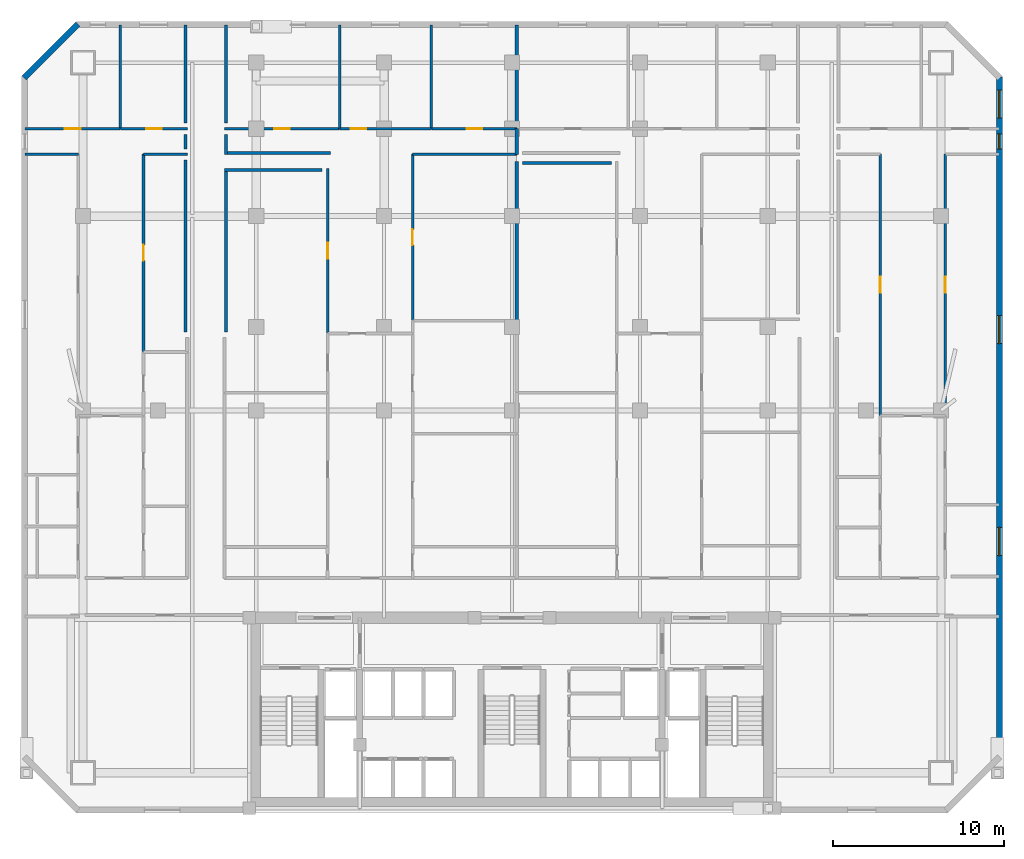
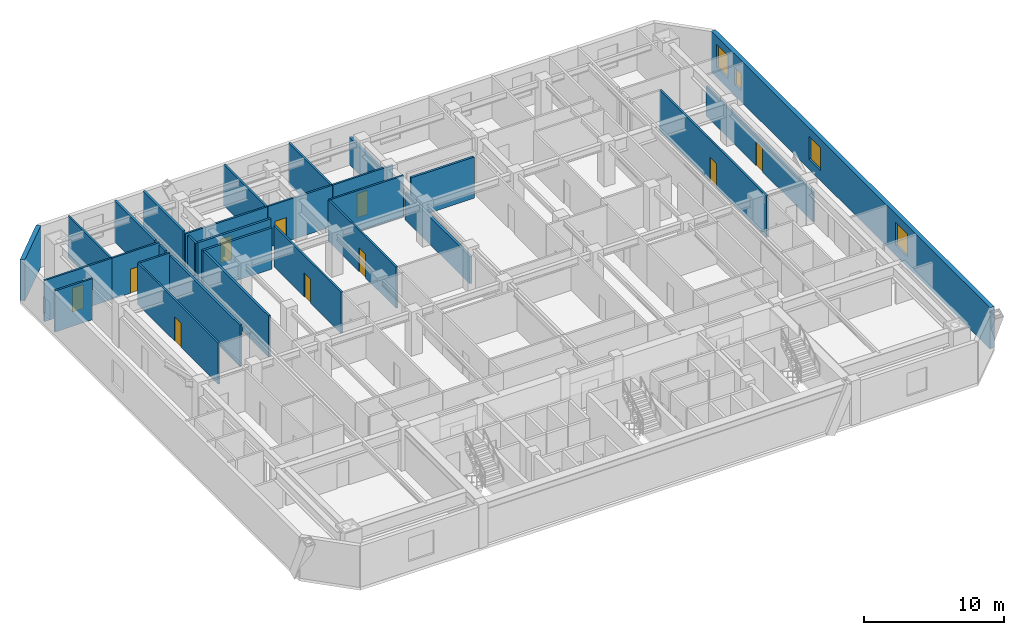
# One storey, part 7 of 10: 30 walls, 10 doors, 4 windows, 14 openings.
"""IFC4 building model written with IfcOpenShell, lengths in metres."""

from ifc_helpers import new_model, si_unit, direction, frame, frame_2d, origin, place, context, subcontext, project, spatial, rectangle, extrude, material, layer, layer_set, type_object, element, fill, save


model = new_model("IFC4")

# Units and contexts
model_context = context("Model", 3, precision=1e-05, world=origin(), true_north=direction((0.0, 1.0)))
body_context = subcontext(model_context, "Body", "Model", "MODEL_VIEW")
ifc_project = project(units=[si_unit("LENGTHUNIT", "METRE"), si_unit("AREAUNIT", "SQUARE_METRE"), si_unit("VOLUMEUNIT", "CUBIC_METRE"), si_unit("PLANEANGLEUNIT", "RADIAN"), si_unit("MASSUNIT", "GRAM", prefix="KILO")], contexts=[model_context])

# Site, building, storey
site_placement = place(None, origin())
site = spatial("IfcSite", under=ifc_project, at=site_placement, CompositionType="ELEMENT")
building_placement = place(site_placement, origin())
building = spatial("IfcBuilding", under=site, at=building_placement, Name="Ventersveld Concourse Tower", CompositionType="ELEMENT")
storey_placement = place(building_placement, frame((0.0, 0.0, 88.75)))
storey = spatial("IfcBuildingStorey", under=building, at=storey_placement, Name="L21", CompositionType="ELEMENT", Elevation=88.75)

# Walls
ifc_material_1 = material(Name="Fire-rated autoclaved aerated masonry blockwork", Category="masonry")
ifc_layer_1 = layer(ifc_material_1, 0.179931640625)
ifc_layer_set_1 = layer_set([ifc_layer_1], Name="Fire-rated autoclaved aerated masonry blockwork")
wall_type_1 = type_object("IfcWallType", Name="WL-CORR-180", PredefinedType="PARTITIONING", material=ifc_layer_set_1)
wall_1_placement = place(storey_placement, frame((9.6201171875, 39.794921875, 0.0), z_axis=(0.0, 0.0, 1.0), x_axis=(0.0, -1.0, 0.0)))
element("IfcWall", 1, at=wall_1_placement, inside=storey, type_object=wall_type_1, Name="L21 Room Enclosure Wall SP-L21-21NW-LIV", PredefinedType="PARTITIONING", context=body_context, shape_type="SweptSolid", body=[
    extrude(rectangle(XDim=0.849853515625, YDim=0.179931640625, at=frame_2d((0.4248046875, 0.0))), origin(), (0.0, 0.0, 1.0), 3.60009765625),
])
wall_2_placement = place(storey_placement, frame((9.6201171875, 38.294921875, 0.0), z_axis=(0.0, 0.0, 1.0), x_axis=(0.0, -1.0, 0.0)))
element("IfcWall", 2, at=wall_2_placement, inside=storey, type_object=wall_type_1, Name="L21 Room Enclosure Wall SP-L21-21NW-DENS", PredefinedType="PARTITIONING", context=body_context, shape_type="SweptSolid", body=[
    extrude(rectangle(XDim=10.0849609375, YDim=0.179931640625, at=frame_2d((5.04248046875, 0.0))), origin(), (0.0, 0.0, 1.0), 3.60009765625),
])
wall_3_placement = place(storey_placement, frame((9.6201171875, 46.18994140625, 0.0), z_axis=(0.0, 0.0, 1.0), x_axis=(0.0, -1.0, 0.0)))
element("IfcWall", 3, at=wall_3_placement, inside=storey, type_object=wall_type_1, Name="L21 Room Enclosure Wall SP-L21-21NW-BR2", PredefinedType="PARTITIONING", context=body_context, shape_type="SweptSolid", body=[
    extrude(rectangle(XDim=5.744873046875, YDim=0.179931640625, at=frame_2d((2.87255859375, 0.0))), origin(), (0.0, 0.0, 1.0), 3.60009765625),
])
wall_4_placement = place(storey_placement, frame((18.123291015625, 38.7099609375, 0.0), z_axis=(0.0, 0.0, 1.0), x_axis=(-1.0, 0.0, 0.0)))
element("IfcWall", 4, at=wall_4_placement, inside=storey, type_object=wall_type_1, Name="L21 Room Enclosure Wall SP-L21-21N1-LIV", PredefinedType="PARTITIONING", context=body_context, shape_type="SweptSolid", body=[
    extrude(rectangle(XDim=6.23828125, YDim=0.179931640625, at=frame_2d((3.119140625, 0.0))), origin(), (0.0, 0.0, 1.0), 3.60009765625),
])
wall_5_placement = place(storey_placement, frame((11.97998046875, 38.614990234375, 0.0), z_axis=(0.0, 0.0, 1.0), x_axis=(0.0, 1.0, 0.0)))
element("IfcWall", 5, at=wall_5_placement, inside=storey, type_object=wall_type_1, Name="L21 Room Enclosure Wall SP-L21-21N1-LIV", PredefinedType="PARTITIONING", context=body_context, shape_type="SweptSolid", body=[
    extrude(rectangle(XDim=1.179931640625, YDim=0.179931640625, at=frame_2d((0.58984375, 0.0))), origin(), (0.0, 0.0, 1.0), 3.60009765625),
])
wall_6_placement = place(storey_placement, frame((11.885009765625, 37.691162109375, 0.0), z_axis=(0.0, 0.0, 1.0), x_axis=(1.0, 0.0, 0.0)))
element("IfcWall", 6, at=wall_6_placement, inside=storey, type_object=wall_type_1, Name="L21 Room Enclosure Wall SP-L21-21N1-DENL2", PredefinedType="PARTITIONING", context=body_context, shape_type="SweptSolid", body=[
    extrude(rectangle(XDim=5.728271484375, YDim=0.179931640625, at=frame_2d((2.8642578125, 0.0))), origin(), (0.0, 0.0, 1.0), 3.60009765625),
])
wall_7_placement = place(storey_placement, frame((11.97998046875, 28.2099609375, 0.0), z_axis=(0.0, 0.0, 1.0), x_axis=(0.0, 1.0, 0.0)))
element("IfcWall", 7, at=wall_7_placement, inside=storey, type_object=wall_type_1, Name="L21 Room Enclosure Wall SP-L21-21N1-DENL2", PredefinedType="PARTITIONING", context=body_context, shape_type="SweptSolid", body=[
    extrude(rectangle(XDim=9.576171875, YDim=0.179931640625, at=frame_2d((4.7880859375, 0.0))), origin(), (0.0, 0.0, 1.0), 3.60009765625),
])
wall_8_placement = place(storey_placement, frame((11.97998046875, 40.445068359375, 0.0), z_axis=(0.0, 0.0, 1.0), x_axis=(0.0, 1.0, 0.0)))
element("IfcWall", 8, at=wall_8_placement, inside=storey, type_object=wall_type_1, Name="L21 Room Enclosure Wall SP-L21-21N1-BR1", PredefinedType="PARTITIONING", context=body_context, shape_type="SweptSolid", body=[
    extrude(rectangle(XDim=5.744873046875, YDim=0.179931640625, at=frame_2d((2.87255859375, 0.0))), origin(), (0.0, 0.0, 1.0), 3.60009765625),
])
wall_9_placement = place(storey_placement, frame((29.36181640625, 38.109130859375, 0.0), z_axis=(0.0, 0.0, 1.0), x_axis=(1.0, 0.0, 0.0)))
element("IfcWall", 9, at=wall_9_placement, inside=storey, type_object=wall_type_1, Name="L21 Room Enclosure Wall SP-L21-21N2-DENL2", PredefinedType="PARTITIONING", context=body_context, shape_type="SweptSolid", body=[
    extrude(rectangle(XDim=5.21484375, YDim=0.179931640625, at=frame_2d((2.607421875, 0.0))), origin(), (0.0, 0.0, 1.0), 3.60009765625),
])
ifc_layer_2 = layer(ifc_material_1, 0.199951171875)
ifc_layer_set_2 = layer_set([ifc_layer_2], Name="Fire-rated autoclaved aerated masonry blockwork")
wall_type_2 = type_object("IfcWallType", Name="WL-DEMISE-200", PredefinedType="PARTITIONING", material=ifc_layer_set_2)
wall_10_placement = place(storey_placement, frame((29.036865234375, 38.614990234375, 0.0), z_axis=(0.0, 0.0, 1.0), x_axis=(0.0, 1.0, 0.0)))
element("IfcWall", 10, at=wall_10_placement, inside=storey, type_object=wall_type_2, Name="L21 Interior Partition SP-L21-21N1-LIV-SP-L21-21N2-LIV", PredefinedType="PARTITIONING", context=body_context, shape_type="SweptSolid", body=[
    extrude(rectangle(XDim=1.510009765625, YDim=0.199951171875, at=frame_2d((0.7548828125, 0.0))), origin(), (0.0, 0.0, 1.0), 2.39990234375),
])
wall_11_placement = place(storey_placement, frame((29.036865234375, 28.90087890625, 0.0), z_axis=(0.0, 0.0, 1.0), x_axis=(0.0, 1.0, 0.0)))
element("IfcWall", 11, at=wall_11_placement, inside=storey, type_object=wall_type_2, Name="L21 Interior Partition SP-L21-21N1-DENS2-SP-L21-21N2-DENL2", PredefinedType="PARTITIONING", context=body_context, shape_type="SweptSolid", body=[
    extrude(rectangle(XDim=9.30322265625, YDim=0.199951171875, at=frame_2d((4.651611328125, 0.0))), origin(), (0.0, 0.0, 1.0), 2.39990234375),
])
wall_12_placement = place(storey_placement, frame((29.036865234375, 40.155029296875, 0.0), z_axis=(0.0, 0.0, 1.0), x_axis=(0.0, 1.0, 0.0)))
element("IfcWall", 12, at=wall_12_placement, inside=storey, type_object=wall_type_2, Name="L21 Interior Partition SP-L21-21N1-BR3-SP-L21-21N2-BR1", PredefinedType="PARTITIONING", context=body_context, shape_type="SweptSolid", body=[
    extrude(rectangle(XDim=6.034912109375, YDim=0.199951171875, at=frame_2d((3.017578125, 0.0))), origin(), (0.0, 0.0, 1.0), 2.39990234375),
])
ifc_material_2 = material(Name="Autoclaved aerated masonry blockwork", Category="masonry")
ifc_layer_3 = layer(ifc_material_2, 0.14990234375)
ifc_layer_set_3 = layer_set([ifc_layer_3], Name="Autoclaved aerated masonry blockwork")
wall_type_3 = type_object("IfcWallType", Name="WL-INT-150", PredefinedType="PARTITIONING", material=ifc_layer_set_3)
wall_13_placement = place(storey_placement, frame((0.2099609375, 38.6201171875, 0.0), z_axis=(0.0, 0.0, 1.0), x_axis=(1.0, 0.0, 0.0)))
element("IfcWall", 13, at=wall_13_placement, inside=storey, type_object=wall_type_3, Name="L21 Interior Partition SP-L21-21NW-LIV-SP-L21-21NW-DENL", PredefinedType="PARTITIONING", context=body_context, shape_type="SweptSolid", body=[
    extrude(rectangle(XDim=3.117919921875, YDim=0.14990234375, at=frame_2d((1.55908203125, 0.0))), origin(), (0.0, 0.0, 1.0), 3.60009765625),
])

# Wall, opening, door
wall_14_placement = place(storey_placement, frame((7.144775390625, 27.06396484375, 0.0), z_axis=(0.0, 0.0, 1.0), x_axis=(0.0, 1.0, 0.0)))
wall_14 = element("IfcWall", 14, at=wall_14_placement, inside=storey, type_object=wall_type_3, Name="L21 Interior Partition SP-L21-21NW-LIV-SP-L21-21NW-DENS", PredefinedType="PARTITIONING", context=body_context, shape_type="SweptSolid", body=[
    extrude(rectangle(XDim=11.56103515625, YDim=0.14990234375, at=frame_2d((5.780517578125, 0.0))), origin(), (0.0, 0.0, 1.0), 3.60009765625),
])
opening_1_placement = place(wall_14_placement, frame((5.320556640625, 0.0, 0.0)))
opening_1 = element("IfcOpeningElement", 15, at=opening_1_placement, cuts=wall_14, Name="Opening ID1", PredefinedType="OPENING", context=body_context, shape_type="SweptSolid", body=[
    extrude(rectangle(XDim=0.919921875, YDim=2.10009765625, at=frame_2d((0.4599609375, 1.050048828125))), frame((0.0, 0.0849609375, 0.0), z_axis=(0.0, -1.0, 0.0), x_axis=(1.0, 0.0, 0.0)), (0.0, 0.0, 1.0), 0.169921875),
])
ifc_material_3 = material(Name="Solid-core hardwood veneer timber", Category="wood")
door_type = type_object("IfcDoorType", Name="DR-ROOM-092", OperationType="NOTDEFINED", PredefinedType="DOOR", material=ifc_material_3)
door_1_placement = place(opening_1_placement, origin())
door_1 = element("IfcDoor", 16, at=door_1_placement, inside=storey, type_object=door_type, Name="L21 Interior Door SP-L21-21NW-LIV to SP-L21-21NW-DENS (D-L21-1022)", OperationType="SINGLE_SWING_RIGHT", OverallHeight=2.10009765625, OverallWidth=0.919921875, PredefinedType="DOOR", context=body_context, shape_type="SweptSolid", body=[
    extrude(rectangle(XDim=0.919921875, YDim=2.10009765625, at=frame_2d((0.4599609375, 1.050048828125))), frame((0.0, 0.02490234375, 0.0), z_axis=(0.0, -1.0, 0.0), x_axis=(1.0, 0.0, 0.0)), (0.0, 0.0, 1.0), 0.050048828125),
])
fill(opening_1, door_1)

# Wall
wall_15_placement = place(storey_placement, frame((7.139892578125, 38.6201171875, 0.0), z_axis=(0.0, 0.0, 1.0), x_axis=(1.0, 0.0, 0.0)))
element("IfcWall", 17, at=wall_15_placement, inside=storey, type_object=wall_type_3, Name="L21 Interior Partition SP-L21-21NW-LIV-SP-L21-21NW-DENS", PredefinedType="PARTITIONING", context=body_context, shape_type="SweptSolid", body=[
    extrude(rectangle(XDim=2.5751953125, YDim=0.14990234375, at=frame_2d((1.28759765625, 0.0))), origin(), (0.0, 0.0, 1.0), 3.60009765625),
])

# Wall, opening, door
wall_16_placement = place(storey_placement, frame((0.2099609375, 40.1201171875, 0.0), z_axis=(0.0, 0.0, 1.0), x_axis=(1.0, 0.0, 0.0)))
wall_16 = element("IfcWall", 18, at=wall_16_placement, inside=storey, type_object=wall_type_3, Name="L21 Interior Partition SP-L21-21NW-LIV-SP-L21-21NW-BR1", PredefinedType="PARTITIONING", context=body_context, shape_type="SweptSolid", body=[
    extrude(rectangle(XDim=5.566162109375, YDim=0.14990234375, at=frame_2d((2.783203125, 0.0))), origin(), (0.0, 0.0, 1.0), 3.60009765625),
])
opening_2_placement = place(wall_16_placement, frame((2.322998046875, 0.0, 0.0)))
opening_2 = element("IfcOpeningElement", 19, at=opening_2_placement, cuts=wall_16, Name="Opening ID1", PredefinedType="OPENING", context=body_context, shape_type="SweptSolid", body=[
    extrude(rectangle(XDim=0.919921875, YDim=2.10009765625, at=frame_2d((0.4599609375, 1.050048828125))), frame((0.0, 0.0849609375, 0.0), z_axis=(0.0, -1.0, 0.0), x_axis=(1.0, 0.0, 0.0)), (0.0, 0.0, 1.0), 0.169921875),
])
door_2_placement = place(opening_2_placement, origin())
door_2 = element("IfcDoor", 20, at=door_2_placement, inside=storey, type_object=door_type, Name="L21 Interior Door SP-L21-21NW-LIV to SP-L21-21NW-BR1 (D-L21-1023)", OperationType="SINGLE_SWING_LEFT", OverallHeight=2.10009765625, OverallWidth=0.919921875, PredefinedType="DOOR", context=body_context, shape_type="SweptSolid", body=[
    extrude(rectangle(XDim=0.919921875, YDim=2.10009765625, at=frame_2d((0.4599609375, 1.050048828125))), frame((0.0, 0.02490234375, 0.0), z_axis=(0.0, -1.0, 0.0), x_axis=(1.0, 0.0, 0.0)), (0.0, 0.0, 1.0), 0.050048828125),
])
fill(opening_2, door_2)

wall_17_placement = place(storey_placement, frame((5.80615234375, 40.1201171875, 0.0), z_axis=(0.0, 0.0, 1.0), x_axis=(1.0, 0.0, 0.0)))
wall_17 = element("IfcWall", 21, at=wall_17_placement, inside=storey, type_object=wall_type_3, Name="L21 Interior Partition SP-L21-21NW-LIV-SP-L21-21NW-BR2", PredefinedType="PARTITIONING", context=body_context, shape_type="SweptSolid", body=[
    extrude(rectangle(XDim=3.908935546875, YDim=0.14990234375, at=frame_2d((1.95458984375, 0.0))), origin(), (0.0, 0.0, 1.0), 3.60009765625),
])
opening_3_placement = place(wall_17_placement, frame((1.494384765625, 0.0, 0.0)))
opening_3 = element("IfcOpeningElement", 22, at=opening_3_placement, cuts=wall_17, Name="Opening ID1", PredefinedType="OPENING", context=body_context, shape_type="SweptSolid", body=[
    extrude(rectangle(XDim=0.919921875, YDim=2.10009765625, at=frame_2d((0.4599609375, 1.050048828125))), frame((0.0, 0.0849609375, 0.0), z_axis=(0.0, -1.0, 0.0), x_axis=(1.0, 0.0, 0.0)), (0.0, 0.0, 1.0), 0.169921875),
])
door_3_placement = place(opening_3_placement, origin())
door_3 = element("IfcDoor", 23, at=door_3_placement, inside=storey, type_object=door_type, Name="L21 Interior Door SP-L21-21NW-LIV to SP-L21-21NW-BR2 (D-L21-1024)", OperationType="SINGLE_SWING_RIGHT", OverallHeight=2.10009765625, OverallWidth=0.919921875, PredefinedType="DOOR", context=body_context, shape_type="SweptSolid", body=[
    extrude(rectangle(XDim=0.919921875, YDim=2.10009765625, at=frame_2d((0.4599609375, 1.050048828125))), frame((0.0, 0.02490234375, 0.0), z_axis=(0.0, -1.0, 0.0), x_axis=(1.0, 0.0, 0.0)), (0.0, 0.0, 1.0), 0.050048828125),
])
fill(opening_3, door_3)

# Wall
wall_18_placement = place(storey_placement, frame((5.771240234375, 40.114990234375, 0.0), z_axis=(0.0, 0.0, 1.0), x_axis=(0.0, 1.0, 0.0)))
element("IfcWall", 24, at=wall_18_placement, inside=storey, type_object=wall_type_3, Name="L21 Interior Partition SP-L21-21NW-BR1-SP-L21-21NW-BR2", PredefinedType="PARTITIONING", context=body_context, shape_type="SweptSolid", body=[
    extrude(rectangle(XDim=6.074951171875, YDim=0.14990234375, at=frame_2d((3.03759765625, 0.0))), origin(), (0.0, 0.0, 1.0), 3.60009765625),
])

# Wall, opening, door
wall_19_placement = place(storey_placement, frame((50.337158203125, 23.317138671875, 0.0), z_axis=(0.0, 0.0, 1.0), x_axis=(0.0, 1.0, 0.0)))
wall_19 = element("IfcWall", 25, at=wall_19_placement, inside=storey, type_object=wall_type_3, Name="L21 Interior Partition SP-L21-21NE-LIV-SP-L21-21NE-DENL", PredefinedType="PARTITIONING", context=body_context, shape_type="SweptSolid", body=[
    extrude(rectangle(XDim=15.307861328125, YDim=0.14990234375, at=frame_2d((7.65380859375, 0.0))), origin(), (0.0, 0.0, 1.0), 3.60009765625),
])
opening_4_placement = place(wall_19_placement, frame((7.19384765625, 0.0, 0.0)))
opening_4 = element("IfcOpeningElement", 26, at=opening_4_placement, cuts=wall_19, Name="Opening ID1", PredefinedType="OPENING", context=body_context, shape_type="SweptSolid", body=[
    extrude(rectangle(XDim=0.919921875, YDim=2.10009765625, at=frame_2d((0.4599609375, 1.050048828125))), frame((0.0, 0.0849609375, 0.0), z_axis=(0.0, -1.0, 0.0), x_axis=(1.0, 0.0, 0.0)), (0.0, 0.0, 1.0), 0.169921875),
])
door_4_placement = place(opening_4_placement, origin())
door_4 = element("IfcDoor", 27, at=door_4_placement, inside=storey, type_object=door_type, Name="L21 Interior Door SP-L21-21NE-LIV to SP-L21-21NE-DENL (D-L21-1031)", OperationType="SINGLE_SWING_LEFT", OverallHeight=2.10009765625, OverallWidth=0.919921875, PredefinedType="DOOR", context=body_context, shape_type="SweptSolid", body=[
    extrude(rectangle(XDim=0.919921875, YDim=2.10009765625, at=frame_2d((0.4599609375, 1.050048828125))), frame((0.0, 0.02490234375, 0.0), z_axis=(0.0, -1.0, 0.0), x_axis=(1.0, 0.0, 0.0)), (0.0, 0.0, 1.0), 0.050048828125),
])
fill(opening_4, door_4)

wall_20_placement = place(storey_placement, frame((54.1591796875, 23.317138671875, 0.0), z_axis=(0.0, 0.0, 1.0), x_axis=(0.0, 1.0, 0.0)))
wall_20 = element("IfcWall", 28, at=wall_20_placement, inside=storey, type_object=wall_type_3, Name="L21 Interior Partition SP-L21-21NE-LIV-SP-L21-21NE-DENR", PredefinedType="PARTITIONING", context=body_context, shape_type="SweptSolid", body=[
    extrude(rectangle(XDim=15.307861328125, YDim=0.14990234375, at=frame_2d((7.65380859375, 0.0))), origin(), (0.0, 0.0, 1.0), 2.60009765625),
])
opening_5_placement = place(wall_20_placement, frame((7.19384765625, 0.0, 0.0)))
opening_5 = element("IfcOpeningElement", 29, at=opening_5_placement, cuts=wall_20, Name="Opening ID1", PredefinedType="OPENING", context=body_context, shape_type="SweptSolid", body=[
    extrude(rectangle(XDim=0.919921875, YDim=2.10009765625, at=frame_2d((0.4599609375, 1.050048828125))), frame((0.0, 0.0849609375, 0.0), z_axis=(0.0, -1.0, 0.0), x_axis=(1.0, 0.0, 0.0)), (0.0, 0.0, 1.0), 0.169921875),
])
door_5_placement = place(opening_5_placement, origin())
door_5 = element("IfcDoor", 30, at=door_5_placement, inside=storey, type_object=door_type, Name="L21 Interior Door SP-L21-21NE-LIV to SP-L21-21NE-DENR (D-L21-1032)", OperationType="SINGLE_SWING_RIGHT", OverallHeight=2.10009765625, OverallWidth=0.919921875, PredefinedType="DOOR", context=body_context, shape_type="SweptSolid", body=[
    extrude(rectangle(XDim=0.919921875, YDim=2.10009765625, at=frame_2d((0.4599609375, 1.050048828125))), frame((0.0, 0.02490234375, 0.0), z_axis=(0.0, -1.0, 0.0), x_axis=(1.0, 0.0, 0.0)), (0.0, 0.0, 1.0), 0.050048828125),
])
fill(opening_5, door_5)

wall_21_placement = place(storey_placement, frame((17.938232421875, 28.151611328125, 0.0), z_axis=(0.0, 0.0, 1.0), x_axis=(0.0, 1.0, 0.0)))
wall_21 = element("IfcWall", 31, at=wall_21_placement, inside=storey, type_object=wall_type_3, Name="L21 Interior Partition SP-L21-21N1-LIV-SP-L21-21N1-DENL2", PredefinedType="PARTITIONING", context=body_context, shape_type="SweptSolid", body=[
    extrude(rectangle(XDim=9.634521484375, YDim=0.14990234375, at=frame_2d((4.8173828125, 0.0))), origin(), (0.0, 0.0, 1.0), 3.60009765625),
])
opening_6_placement = place(wall_21_placement, frame((4.357177734375, 0.0, 0.0)))
opening_6 = element("IfcOpeningElement", 32, at=opening_6_placement, cuts=wall_21, Name="Opening ID1", PredefinedType="OPENING", context=body_context, shape_type="SweptSolid", body=[
    extrude(rectangle(XDim=0.919921875, YDim=2.10009765625, at=frame_2d((0.4599609375, 1.050048828125))), frame((0.0, 0.0849609375, 0.0), z_axis=(0.0, -1.0, 0.0), x_axis=(1.0, 0.0, 0.0)), (0.0, 0.0, 1.0), 0.169921875),
])
door_6_placement = place(opening_6_placement, origin())
door_6 = element("IfcDoor", 33, at=door_6_placement, inside=storey, type_object=door_type, Name="L21 Interior Door SP-L21-21N1-LIV to SP-L21-21N1-DENL2 (D-L21-1042)", OperationType="SINGLE_SWING_RIGHT", OverallHeight=2.10009765625, OverallWidth=0.919921875, PredefinedType="DOOR", context=body_context, shape_type="SweptSolid", body=[
    extrude(rectangle(XDim=0.919921875, YDim=2.10009765625, at=frame_2d((0.4599609375, 1.050048828125))), frame((0.0, 0.02490234375, 0.0), z_axis=(0.0, -1.0, 0.0), x_axis=(1.0, 0.0, 0.0)), (0.0, 0.0, 1.0), 0.050048828125),
])
fill(opening_6, door_6)

wall_22_placement = place(storey_placement, frame((22.918212890625, 28.90087890625, 0.0), z_axis=(0.0, 0.0, 1.0), x_axis=(0.0, 1.0, 0.0)))
wall_22 = element("IfcWall", 34, at=wall_22_placement, inside=storey, type_object=wall_type_3, Name="L21 Interior Partition SP-L21-21N1-LIV-SP-L21-21N1-DENS2", PredefinedType="PARTITIONING", context=body_context, shape_type="SweptSolid", body=[
    extrude(rectangle(XDim=9.72412109375, YDim=0.14990234375, at=frame_2d((4.862060546875, 0.0))), origin(), (0.0, 0.0, 1.0), 3.60009765625),
])
opening_7_placement = place(wall_22_placement, frame((4.402099609375, 0.0, 0.0)))
opening_7 = element("IfcOpeningElement", 35, at=opening_7_placement, cuts=wall_22, Name="Opening ID1", PredefinedType="OPENING", context=body_context, shape_type="SweptSolid", body=[
    extrude(rectangle(XDim=0.919921875, YDim=2.10009765625, at=frame_2d((0.4599609375, 1.050048828125))), frame((0.0, 0.0849609375, 0.0), z_axis=(0.0, -1.0, 0.0), x_axis=(1.0, 0.0, 0.0)), (0.0, 0.0, 1.0), 0.169921875),
])
door_7_placement = place(opening_7_placement, origin())
door_7 = element("IfcDoor", 36, at=door_7_placement, inside=storey, type_object=door_type, Name="L21 Interior Door SP-L21-21N1-LIV to SP-L21-21N1-DENS2 (D-L21-1043)", OperationType="SINGLE_SWING_LEFT", OverallHeight=2.10009765625, OverallWidth=0.919921875, PredefinedType="DOOR", context=body_context, shape_type="SweptSolid", body=[
    extrude(rectangle(XDim=0.919921875, YDim=2.10009765625, at=frame_2d((0.4599609375, 1.050048828125))), frame((0.0, 0.02490234375, 0.0), z_axis=(0.0, -1.0, 0.0), x_axis=(1.0, 0.0, 0.0)), (0.0, 0.0, 1.0), 0.050048828125),
])
fill(opening_7, door_7)

# Wall
wall_23_placement = place(storey_placement, frame((22.9130859375, 38.6201171875, 0.0), z_axis=(0.0, 0.0, 1.0), x_axis=(1.0, 0.0, 0.0)))
element("IfcWall", 37, at=wall_23_placement, inside=storey, type_object=wall_type_3, Name="L21 Interior Partition SP-L21-21N1-LIV-SP-L21-21N1-DENS2", PredefinedType="PARTITIONING", context=body_context, shape_type="SweptSolid", body=[
    extrude(rectangle(XDim=6.12890625, YDim=0.14990234375, at=frame_2d((3.064453125, 0.0))), origin(), (0.0, 0.0, 1.0), 3.60009765625),
])

# Wall, opening, door
wall_24_placement = place(storey_placement, frame((11.885009765625, 40.1201171875, 0.0), z_axis=(0.0, 0.0, 1.0), x_axis=(1.0, 0.0, 0.0)))
wall_24 = element("IfcWall", 38, at=wall_24_placement, inside=storey, type_object=wall_type_3, Name="L21 Interior Partition SP-L21-21N1-LIV-SP-L21-21N1-BR1", PredefinedType="PARTITIONING", context=body_context, shape_type="SweptSolid", body=[
    extrude(rectangle(XDim=6.763671875, YDim=0.14990234375, at=frame_2d((3.3818359375, 0.0))), origin(), (0.0, 0.0, 1.0), 3.60009765625),
])
opening_8_placement = place(wall_24_placement, frame((2.921875, 0.0, 0.0)))
opening_8 = element("IfcOpeningElement", 39, at=opening_8_placement, cuts=wall_24, Name="Opening ID1", PredefinedType="OPENING", context=body_context, shape_type="SweptSolid", body=[
    extrude(rectangle(XDim=0.919921875, YDim=2.10009765625, at=frame_2d((0.4599609375, 1.050048828125))), frame((0.0, 0.0849609375, 0.0), z_axis=(0.0, -1.0, 0.0), x_axis=(1.0, 0.0, 0.0)), (0.0, 0.0, 1.0), 0.169921875),
])
door_8_placement = place(opening_8_placement, origin())
door_8 = element("IfcDoor", 40, at=door_8_placement, inside=storey, type_object=door_type, Name="L21 Interior Door SP-L21-21N1-LIV to SP-L21-21N1-BR1 (D-L21-1044)", OperationType="SINGLE_SWING_RIGHT", OverallHeight=2.10009765625, OverallWidth=0.919921875, PredefinedType="DOOR", context=body_context, shape_type="SweptSolid", body=[
    extrude(rectangle(XDim=0.919921875, YDim=2.10009765625, at=frame_2d((0.4599609375, 1.050048828125))), frame((0.0, 0.02490234375, 0.0), z_axis=(0.0, -1.0, 0.0), x_axis=(1.0, 0.0, 0.0)), (0.0, 0.0, 1.0), 0.050048828125),
])
fill(opening_8, door_8)

wall_25_placement = place(storey_placement, frame((18.6787109375, 40.1201171875, 0.0), z_axis=(0.0, 0.0, 1.0), x_axis=(1.0, 0.0, 0.0)))
wall_25 = element("IfcWall", 41, at=wall_25_placement, inside=storey, type_object=wall_type_3, Name="L21 Interior Partition SP-L21-21N1-LIV-SP-L21-21N1-BR2", PredefinedType="PARTITIONING", context=body_context, shape_type="SweptSolid", body=[
    extrude(rectangle(XDim=5.339599609375, YDim=0.14990234375, at=frame_2d((2.669921875, 0.0))), origin(), (0.0, 0.0, 1.0), 3.60009765625),
])
opening_9_placement = place(wall_25_placement, frame((0.60791015625, 0.0, 0.0)))
opening_9 = element("IfcOpeningElement", 42, at=opening_9_placement, cuts=wall_25, Name="Opening ID1", PredefinedType="OPENING", context=body_context, shape_type="SweptSolid", body=[
    extrude(rectangle(XDim=0.919921875, YDim=2.10009765625, at=frame_2d((0.4599609375, 1.050048828125))), frame((0.0, 0.0849609375, 0.0), z_axis=(0.0, -1.0, 0.0), x_axis=(1.0, 0.0, 0.0)), (0.0, 0.0, 1.0), 0.169921875),
])
door_9_placement = place(opening_9_placement, origin())
door_9 = element("IfcDoor", 43, at=door_9_placement, inside=storey, type_object=door_type, Name="L21 Interior Door SP-L21-21N1-LIV to SP-L21-21N1-BR2 (D-L21-1045)", OperationType="SINGLE_SWING_LEFT", OverallHeight=2.10009765625, OverallWidth=0.919921875, PredefinedType="DOOR", context=body_context, shape_type="SweptSolid", body=[
    extrude(rectangle(XDim=0.919921875, YDim=2.10009765625, at=frame_2d((0.4599609375, 1.050048828125))), frame((0.0, 0.02490234375, 0.0), z_axis=(0.0, -1.0, 0.0), x_axis=(1.0, 0.0, 0.0)), (0.0, 0.0, 1.0), 0.050048828125),
])
fill(opening_9, door_9)

wall_26_placement = place(storey_placement, frame((24.04833984375, 40.1201171875, 0.0), z_axis=(0.0, 0.0, 1.0), x_axis=(1.0, 0.0, 0.0)))
wall_26 = element("IfcWall", 44, at=wall_26_placement, inside=storey, type_object=wall_type_3, Name="L21 Interior Partition SP-L21-21N1-LIV-SP-L21-21N1-BR3", PredefinedType="PARTITIONING", context=body_context, shape_type="SweptSolid", body=[
    extrude(rectangle(XDim=4.99365234375, YDim=0.14990234375, at=frame_2d((2.496826171875, 0.0))), origin(), (0.0, 0.0, 1.0), 3.60009765625),
])
opening_10_placement = place(wall_26_placement, frame((2.036865234375, 0.0, 0.0)))
opening_10 = element("IfcOpeningElement", 45, at=opening_10_placement, cuts=wall_26, Name="Opening ID1", PredefinedType="OPENING", context=body_context, shape_type="SweptSolid", body=[
    extrude(rectangle(XDim=0.919921875, YDim=2.10009765625, at=frame_2d((0.4599609375, 1.050048828125))), frame((0.0, 0.0849609375, 0.0), z_axis=(0.0, -1.0, 0.0), x_axis=(1.0, 0.0, 0.0)), (0.0, 0.0, 1.0), 0.169921875),
])
door_10_placement = place(opening_10_placement, origin())
door_10 = element("IfcDoor", 46, at=door_10_placement, inside=storey, type_object=door_type, Name="L21 Interior Door SP-L21-21N1-LIV to SP-L21-21N1-BR3 (D-L21-1046)", OperationType="SINGLE_SWING_RIGHT", OverallHeight=2.10009765625, OverallWidth=0.919921875, PredefinedType="DOOR", context=body_context, shape_type="SweptSolid", body=[
    extrude(rectangle(XDim=0.919921875, YDim=2.10009765625, at=frame_2d((0.4599609375, 1.050048828125))), frame((0.0, 0.02490234375, 0.0), z_axis=(0.0, -1.0, 0.0), x_axis=(1.0, 0.0, 0.0)), (0.0, 0.0, 1.0), 0.050048828125),
])
fill(opening_10, door_10)

# Walls
for number, where, z_axis, x_axis, name in (
    (47, (18.6435546875, 40.114990234375, 0.0), (0.0, 0.0, 1.0), (0.0, 1.0, 0.0), "L21 Interior Partition SP-L21-21N1-BR1-SP-L21-21N1-BR2"),
    (48, (24.01318359375, 40.114990234375, 0.0), (0.0, 0.0, 1.0), (0.0, 1.0, 0.0), "L21 Interior Partition SP-L21-21N1-BR2-SP-L21-21N1-BR3"),
):
    element("IfcWall", number, at=place(storey_placement, frame(where, z_axis=z_axis, x_axis=x_axis)), inside=storey, type_object=wall_type_3, Name=name, PredefinedType="PARTITIONING", context=body_context, shape_type="SweptSolid", body=[
        extrude(rectangle(XDim=6.074951171875, YDim=0.14990234375, at=frame_2d((3.03759765625, 0.0))), origin(), (0.0, 0.0, 1.0), 3.60009765625),
    ])

# Wall, openings, windows
ifc_material_4 = material(Name="Precast concrete C45/55", Category="concrete")
ifc_layer_4 = layer(ifc_material_4, 0.35009765625)
ifc_layer_set_4 = layer_set([ifc_layer_4], Name="Precast concrete C45/55")
wall_type_4 = type_object("IfcWallType", Name="WL-PREC-350", PredefinedType="SOLIDWALL", material=ifc_layer_set_4)
wall_27_placement = place(storey_placement, frame((57.324951171875, 3.239990234375, 0.0), z_axis=(0.0, 0.0, 1.0), x_axis=(0.0, 1.0, 0.0)))
wall_27 = element("IfcWall", 49, at=wall_27_placement, inside=storey, type_object=wall_type_4, Name="L21 Highveld Precast Facade Wall E03", PredefinedType="SOLIDWALL", context=body_context, shape_type="SweptSolid", body=[
    extrude(rectangle(XDim=39.919921875, YDim=0.35009765625, at=frame_2d((19.9599609375, 0.0))), origin(), (0.0, 0.0, 1.0), 3.60009765625),
])
opening_11_placement = place(wall_27_placement, frame((35.679931640625, 0.0, 0.949951171875)))
opening_11 = element("IfcOpeningElement", 50, at=opening_11_placement, cuts=wall_27, Name="Opening W4", PredefinedType="OPENING", context=body_context, shape_type="SweptSolid", body=[
    extrude(rectangle(XDim=0.89990234375, YDim=1.5, at=frame_2d((0.449951171875, 0.75))), frame((0.0, 0.18505859375, 0.0), z_axis=(0.0, -1.0, 0.0), x_axis=(1.0, 0.0, 0.0)), (0.0, 0.0, 1.0), 0.3701171875),
])
opening_12_placement = place(wall_27_placement, frame((11.854248046875, 0.0, 0.8798828125)))
opening_12 = element("IfcOpeningElement", 51, at=opening_12_placement, cuts=wall_27, Name="Opening W6", PredefinedType="OPENING", context=body_context, shape_type="SweptSolid", body=[
    extrude(rectangle(XDim=1.64990234375, YDim=2.0, at=frame_2d((0.824951171875, 1.0))), frame((0.0, 0.18505859375, 0.0), z_axis=(0.0, -1.0, 0.0), x_axis=(1.0, 0.0, 0.0)), (0.0, 0.0, 1.0), 0.3701171875),
])
opening_13_placement = place(wall_27_placement, frame((24.279296875, 0.0, 0.8798828125)))
opening_13 = element("IfcOpeningElement", 52, at=opening_13_placement, cuts=wall_27, Name="Opening W6", PredefinedType="OPENING", context=body_context, shape_type="SweptSolid", body=[
    extrude(rectangle(XDim=1.64990234375, YDim=2.0, at=frame_2d((0.824951171875, 1.0))), frame((0.0, 0.18505859375, 0.0), z_axis=(0.0, -1.0, 0.0), x_axis=(1.0, 0.0, 0.0)), (0.0, 0.0, 1.0), 0.3701171875),
])
opening_14_placement = place(wall_27_placement, frame((37.5, 0.0, 0.8798828125)))
opening_14 = element("IfcOpeningElement", 53, at=opening_14_placement, cuts=wall_27, Name="Opening W6", PredefinedType="OPENING", context=body_context, shape_type="SweptSolid", body=[
    extrude(rectangle(XDim=1.64990234375, YDim=2.0, at=frame_2d((0.824951171875, 1.0))), frame((0.0, 0.18505859375, 0.0), z_axis=(0.0, -1.0, 0.0), x_axis=(1.0, 0.0, 0.0)), (0.0, 0.0, 1.0), 0.3701171875),
])
ifc_material_5 = material(Name="Tempered acoustic Low-E IGU", Category="glass")
window_type_1 = type_object("IfcWindowType", Name="WIN-090x150", PartitioningType="SINGLE_PANEL", PredefinedType="WINDOW", material=ifc_material_5)
window_1_placement = place(opening_11_placement, origin())
window_1 = element("IfcWindow", 54, at=window_1_placement, inside=storey, type_object=window_type_1, Name="L21 Punched Low-E Window W-0230", OverallHeight=1.5, OverallWidth=0.89990234375, PartitioningType="SINGLE_PANEL", PredefinedType="WINDOW", context=body_context, shape_type="SweptSolid", body=[
    extrude(rectangle(XDim=0.89990234375, YDim=1.5, at=frame_2d((0.449951171875, 0.75))), frame((0.0, 0.030029296875, 0.0), z_axis=(0.0, -1.0, 0.0), x_axis=(1.0, 0.0, 0.0)), (0.0, 0.0, 1.0), 0.06005859375),
])
fill(opening_11, window_1)
window_type_2 = type_object("IfcWindowType", Name="WIN-165x200", PartitioningType="SINGLE_PANEL", PredefinedType="WINDOW", material=ifc_material_5)
window_2_placement = place(opening_12_placement, origin())
window_2 = element("IfcWindow", 55, at=window_2_placement, inside=storey, type_object=window_type_2, Name="L21 Punched Low-E Window W-0231", OverallHeight=2.0, OverallWidth=1.64990234375, PartitioningType="SINGLE_PANEL", PredefinedType="WINDOW", context=body_context, shape_type="SweptSolid", body=[
    extrude(rectangle(XDim=1.64990234375, YDim=2.0, at=frame_2d((0.824951171875, 1.0))), frame((0.0, 0.030029296875, 0.0), z_axis=(0.0, -1.0, 0.0), x_axis=(1.0, 0.0, 0.0)), (0.0, 0.0, 1.0), 0.06005859375),
])
fill(opening_12, window_2)
window_3_placement = place(opening_13_placement, origin())
window_3 = element("IfcWindow", 56, at=window_3_placement, inside=storey, type_object=window_type_2, Name="L21 Punched Low-E Window W-0232", OverallHeight=2.0, OverallWidth=1.64990234375, PartitioningType="SINGLE_PANEL", PredefinedType="WINDOW", context=body_context, shape_type="SweptSolid", body=[
    extrude(rectangle(XDim=1.64990234375, YDim=2.0, at=frame_2d((0.824951171875, 1.0))), frame((0.0, 0.030029296875, 0.0), z_axis=(0.0, -1.0, 0.0), x_axis=(1.0, 0.0, 0.0)), (0.0, 0.0, 1.0), 0.06005859375),
])
fill(opening_13, window_3)
window_4_placement = place(opening_14_placement, origin())
window_4 = element("IfcWindow", 57, at=window_4_placement, inside=storey, type_object=window_type_2, Name="L21 Punched Low-E Window W-0234", OverallHeight=2.0, OverallWidth=1.64990234375, PartitioningType="SINGLE_PANEL", PredefinedType="WINDOW", context=body_context, shape_type="SweptSolid", body=[
    extrude(rectangle(XDim=1.64990234375, YDim=2.0, at=frame_2d((0.824951171875, 1.0))), frame((0.0, 0.030029296875, 0.0), z_axis=(0.0, -1.0, 0.0), x_axis=(1.0, 0.0, 0.0)), (0.0, 0.0, 1.0), 0.06005859375),
])
fill(opening_14, window_4)

# Wall
wall_28_placement = place(storey_placement, frame((3.29541015625, 46.248046875, 0.0), z_axis=(0.0, 0.0, 1.0), x_axis=(-0.707079321262, -0.707134240044, 0.0)))
element("IfcWall", 58, at=wall_28_placement, inside=storey, type_object=wall_type_4, Name="L21 Highveld Precast Facade Wall E06", PredefinedType="SOLIDWALL", context=body_context, shape_type="SweptSolid", body=[
    extrude(rectangle(XDim=4.445556640625, YDim=0.35009765625, at=frame_2d((2.22265625, 0.0))), origin(), (0.0, 0.0, 1.0), 3.60009765625),
])

save(model, "model.ifc")
